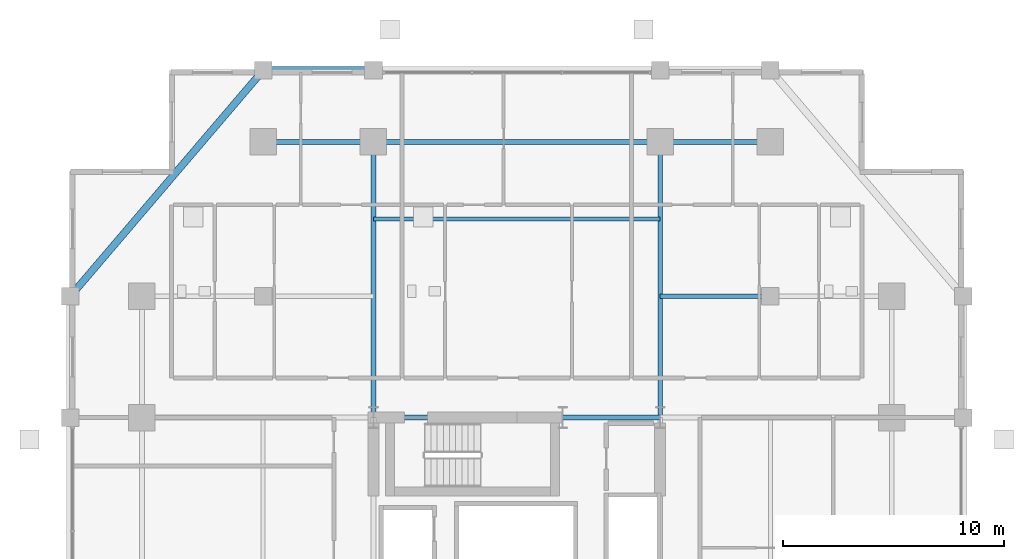
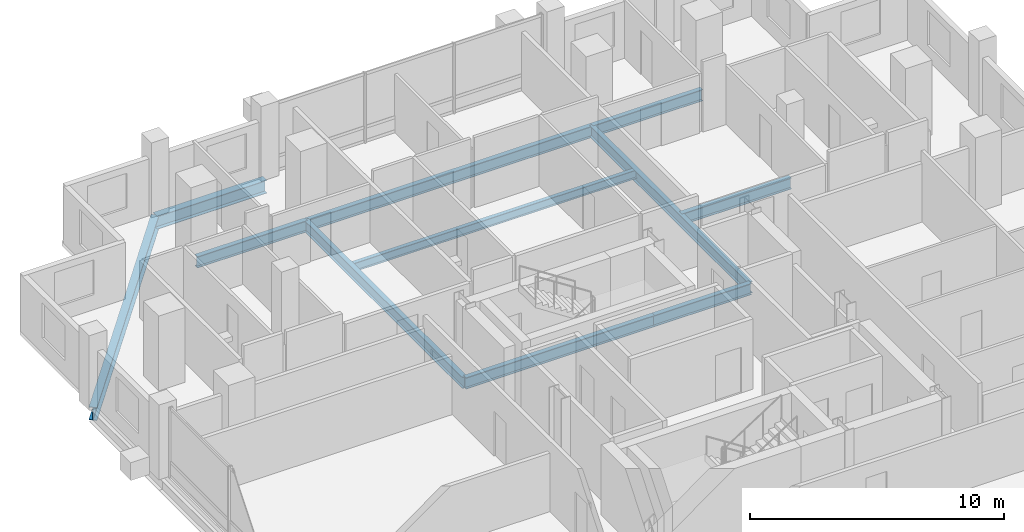
# One storey, part 9 of 19: 11 beams.
"""IFC4 building model written with IfcOpenShell, lengths in metres."""

from ifc_helpers import new_model, si_unit, direction, frame, origin, origin_2d, place, context, subcontext, project, spatial, i_section, extrude, material, material_profile, profile_set, type_object, element, save


model = new_model("IFC4")

# Units and contexts
model_context = context("Model", 3, precision=1e-05, world=origin(), true_north=direction((0.0, 1.0)))
body_context = subcontext(model_context, "Body", "Model", "MODEL_VIEW")
ifc_project = project(units=[si_unit("LENGTHUNIT", "METRE"), si_unit("AREAUNIT", "SQUARE_METRE"), si_unit("VOLUMEUNIT", "CUBIC_METRE"), si_unit("PLANEANGLEUNIT", "RADIAN"), si_unit("MASSUNIT", "GRAM", prefix="KILO")], contexts=[model_context])

# Site, building, storey
site_placement = place(None, origin())
site = spatial("IfcSite", under=ifc_project, at=site_placement, CompositionType="ELEMENT")
building_placement = place(site_placement, origin())
building = spatial("IfcBuilding", under=site, at=building_placement, Name="Barlavira Tower and Art Museum", CompositionType="ELEMENT")
storey_placement = place(building_placement, frame((0.0, 0.0, 113.39990234375)))
storey = spatial("IfcBuildingStorey", under=building, at=storey_placement, Name="L28", CompositionType="ELEMENT", Elevation=113.39990234375)

# Beams
ifc_material = material(Name="Steel S355", Category="steel")
ifc_material_profile_1 = material_profile(ifc_material, i_section(OverallWidth=0.327880859375, OverallDepth=0.62890625, WebThickness=0.013916015625, FlangeThickness=0.021484375, at=origin_2d()), Name="W610x174.0")
ifc_profile_set_1 = profile_set([ifc_material_profile_1], Name="Steel S355")
beam_type_1 = type_object("IfcBeamType", Name="Perimeter Spandrel Edge Beam W610x174 Steel S355", PredefinedType="SPANDREL", material=ifc_profile_set_1)
beam_1_placement = place(storey_placement, frame((-11.5, 23.25, -0.534423828125), z_axis=(1.0, 0.0, 0.0), x_axis=(0.0, 1.0, 0.0)))
element("IfcBeam", 1, at=beam_1_placement, inside=storey, type_object=beam_type_1, Name="L28 Spandrel 11", PredefinedType="SPANDREL", context=body_context, shape_type="SweptSolid", body=[
    extrude(i_section(OverallWidth=0.327880859375, OverallDepth=0.62890625, WebThickness=0.013916015625, FlangeThickness=0.021484375, at=origin_2d()), origin(), (0.0, 0.0, 1.0), 5.0),
])
beam_2_placement = place(storey_placement, frame((-11.5, 23.25, -0.534423828125), z_axis=(-0.649262379928, -0.760564502202, 0.0), x_axis=(0.760564502202, -0.649262379928, 0.0)))
element("IfcBeam", 2, at=beam_2_placement, inside=storey, type_object=beam_type_1, Name="L28 Spandrel 12", PredefinedType="SPANDREL", context=body_context, shape_type="SweptSolid", body=[
    extrude(i_section(OverallWidth=0.327880859375, OverallDepth=0.62890625, WebThickness=0.013916015625, FlangeThickness=0.021484375, at=origin_2d()), origin(), (0.0, 0.0, 1.0), 13.476806640625),
])
ifc_material_profile_2 = material_profile(ifc_material, i_section(OverallWidth=0.214111328125, OverallDepth=0.549072265625, WebThickness=0.0146484375, FlangeThickness=0.023681640625, at=origin_2d()), Name="W530x138.0")
ifc_profile_set_2 = profile_set([ifc_material_profile_2], Name="Steel S355")
beam_type_2 = type_object("IfcBeamType", Name="Zone 1 Primary Floor Girder W530x138 Steel S355", PredefinedType="BEAM", material=ifc_profile_set_2)
beam_3_placement = place(storey_placement, frame((-6.5, 7.5, -0.494384765625), z_axis=(1.0, 0.0, 0.0), x_axis=(0.0, 1.0, 0.0)))
element("IfcBeam", 3, at=beam_3_placement, inside=storey, type_object=beam_type_2, Name="L28 Girder C-N1", PredefinedType="BEAM", context=body_context, shape_type="SweptSolid", body=[
    extrude(i_section(OverallWidth=0.214111328125, OverallDepth=0.549072265625, WebThickness=0.0146484375, FlangeThickness=0.023681640625, at=origin_2d()), origin(), (0.0, 0.0, 1.0), 8.580078125),
])
beam_4_placement = place(storey_placement, frame((2.080078125, 7.5, -0.494384765625), z_axis=(1.0, 0.0, 0.0), x_axis=(0.0, 1.0, 0.0)))
element("IfcBeam", 4, at=beam_4_placement, inside=storey, type_object=beam_type_2, Name="L28 Girder C-N2", PredefinedType="BEAM", context=body_context, shape_type="SweptSolid", body=[
    extrude(i_section(OverallWidth=0.214111328125, OverallDepth=0.549072265625, WebThickness=0.0146484375, FlangeThickness=0.023681640625, at=origin_2d()), origin(), (0.0, 0.0, 1.0), 4.419921875),
])
beam_5_placement = place(storey_placement, frame((-11.5, 20.0, -0.494384765625), z_axis=(1.0, 0.0, 0.0), x_axis=(0.0, 1.0, 0.0)))
element("IfcBeam", 5, at=beam_5_placement, inside=storey, type_object=beam_type_2, Name="L28 Girder M-N1", PredefinedType="BEAM", context=body_context, shape_type="SweptSolid", body=[
    extrude(i_section(OverallWidth=0.214111328125, OverallDepth=0.549072265625, WebThickness=0.0146484375, FlangeThickness=0.023681640625, at=origin_2d()), origin(), (0.0, 0.0, 1.0), 5.0),
])
beam_6_placement = place(storey_placement, frame((-6.5, 20.0, -0.494384765625), z_axis=(1.0, 0.0, 0.0), x_axis=(0.0, 1.0, 0.0)))
element("IfcBeam", 6, at=beam_6_placement, inside=storey, type_object=beam_type_2, Name="L28 Girder M-N2", PredefinedType="BEAM", context=body_context, shape_type="SweptSolid", body=[
    extrude(i_section(OverallWidth=0.214111328125, OverallDepth=0.549072265625, WebThickness=0.0146484375, FlangeThickness=0.023681640625, at=origin_2d()), origin(), (0.0, 0.0, 1.0), 13.0),
])
beam_7_placement = place(storey_placement, frame((6.5, 20.0, -0.494384765625), z_axis=(1.0, 0.0, 0.0), x_axis=(0.0, 1.0, 0.0)))
element("IfcBeam", 7, at=beam_7_placement, inside=storey, type_object=beam_type_2, Name="L28 Girder M-N3", PredefinedType="BEAM", context=body_context, shape_type="SweptSolid", body=[
    extrude(i_section(OverallWidth=0.214111328125, OverallDepth=0.549072265625, WebThickness=0.0146484375, FlangeThickness=0.023681640625, at=origin_2d()), origin(), (0.0, 0.0, 1.0), 5.0),
])
for number, where, z_axis, x_axis, name in (
    (8, (-6.5, 7.5, -0.494384765625), (0.0, 1.0, 0.0), (-1.0, 0.0, 0.0), "L28 Girder R-N1"),
    (9, (6.5, 7.5, -0.494384765625), (0.0, 1.0, 0.0), (-1.0, 0.0, 0.0), "L28 Girder R-N2"),
):
    element("IfcBeam", number, at=place(storey_placement, frame(where, z_axis=z_axis, x_axis=x_axis)), inside=storey, type_object=beam_type_2, Name=name, PredefinedType="BEAM", context=body_context, shape_type="SweptSolid", body=[
        extrude(i_section(OverallWidth=0.214111328125, OverallDepth=0.549072265625, WebThickness=0.0146484375, FlangeThickness=0.023681640625, at=origin_2d()), origin(), (0.0, 0.0, 1.0), 12.5),
    ])
beam_8_placement = place(storey_placement, frame((6.5, 13.0, -0.494384765625), z_axis=(1.0, 0.0, 0.0), x_axis=(0.0, 1.0, 0.0)))
element("IfcBeam", 10, at=beam_8_placement, inside=storey, type_object=beam_type_2, Name="L28 Girder I-N3", PredefinedType="BEAM", context=body_context, shape_type="SweptSolid", body=[
    extrude(i_section(OverallWidth=0.214111328125, OverallDepth=0.549072265625, WebThickness=0.0146484375, FlangeThickness=0.023681640625, at=origin_2d()), origin(), (0.0, 0.0, 1.0), 5.0),
])
ifc_material_profile_3 = material_profile(ifc_material, i_section(OverallWidth=0.179931640625, OverallDepth=0.4130859375, WebThickness=0.009765625, FlangeThickness=0.01611328125, at=origin_2d()), Name="W410x75.0")
ifc_profile_set_3 = profile_set([ifc_material_profile_3], Name="Steel S355")
beam_type_3 = type_object("IfcBeamType", Name="Zone 2 Composite Floor Joist W410x75 Steel S355", PredefinedType="JOIST", material=ifc_profile_set_3)
beam_9_placement = place(storey_placement, frame((-6.5, 16.5, -0.426513671875), z_axis=(1.0, 0.0, 0.0), x_axis=(0.0, 1.0, 0.0)))
element("IfcBeam", 11, at=beam_9_placement, inside=storey, type_object=beam_type_3, Name="L28 Joist C2", PredefinedType="JOIST", context=body_context, shape_type="SweptSolid", body=[
    extrude(i_section(OverallWidth=0.179931640625, OverallDepth=0.4130859375, WebThickness=0.009765625, FlangeThickness=0.01611328125, at=origin_2d()), origin(), (0.0, 0.0, 1.0), 13.0),
])

save(model, "model.ifc")
